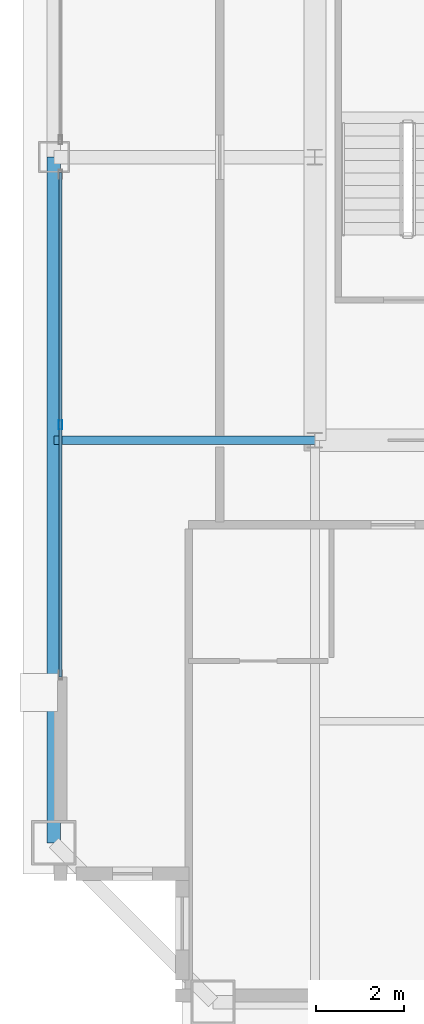
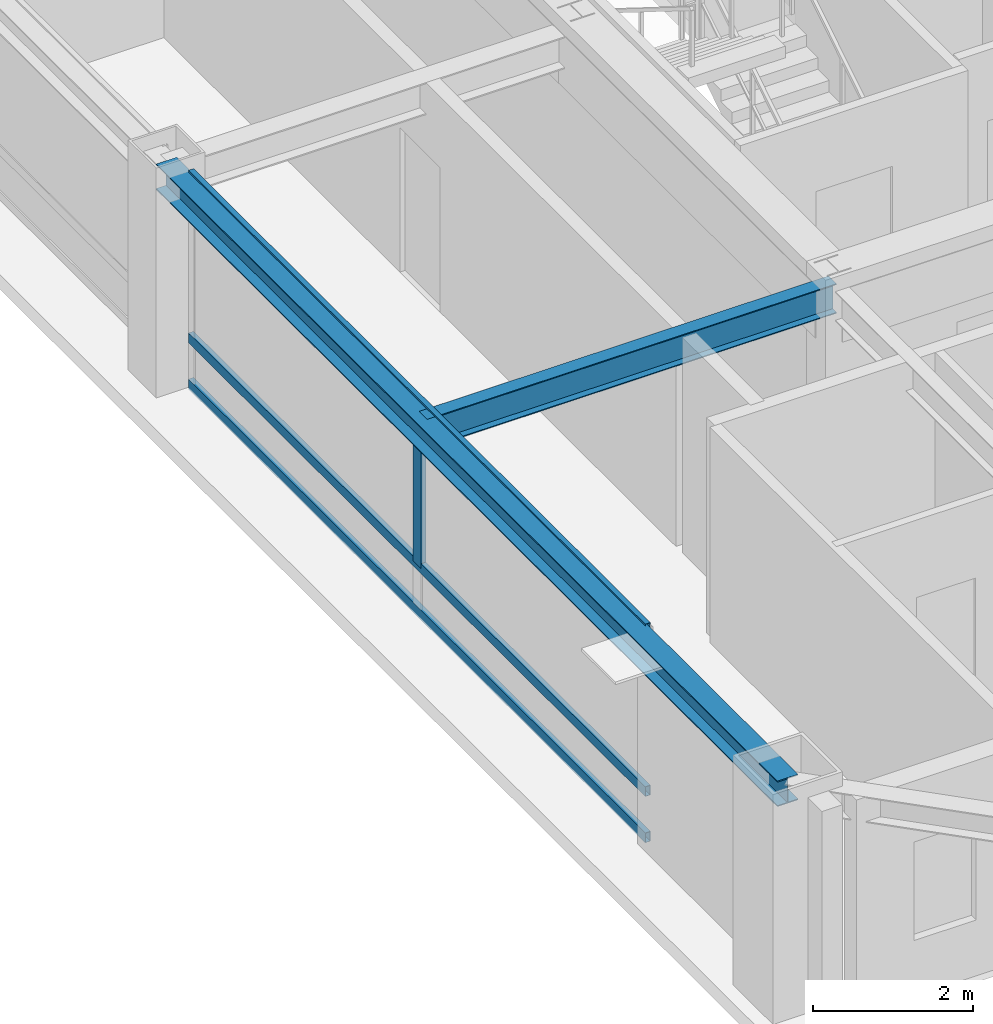
# One storey, part 6 of 35: 4 members, 2 beams, 1 element without a shape of its own.
"""IFC4 building model written with IfcOpenShell, lengths in metres."""

from ifc_helpers import new_model, si_unit, direction, frame, origin, origin_2d, place, context, subcontext, project, spatial, hollow_rectangle, i_section, extrude, source, transform, mapped, material, layer, layer_set, material_profile, profile_set, type_object, element, aggregate, save


model = new_model("IFC4")

# Units and contexts
model_context = context("Model", 3, precision=1e-05, world=origin(), true_north=direction((0.0, 1.0)))
body_context = subcontext(model_context, "Body", "Model", "MODEL_VIEW")
ifc_project = project(units=[si_unit("LENGTHUNIT", "METRE"), si_unit("AREAUNIT", "SQUARE_METRE"), si_unit("VOLUMEUNIT", "CUBIC_METRE"), si_unit("PLANEANGLEUNIT", "RADIAN"), si_unit("MASSUNIT", "GRAM", prefix="KILO"), si_unit("THERMODYNAMICTEMPERATUREUNIT", "KELVIN"), si_unit("POWERUNIT", "WATT")], contexts=[model_context])

# Site, building, storey
site_placement = place(None, origin())
site = spatial("IfcSite", under=ifc_project, at=site_placement, CompositionType="ELEMENT")
building_placement = place(site_placement, origin())
building = spatial("IfcBuilding", under=site, at=building_placement, Name="Yuzanri Waterfront Tower", CompositionType="ELEMENT")
storey_placement = place(building_placement, frame((0.0, 0.0, 289.10009765625)))
storey = spatial("IfcBuildingStorey", under=building, at=storey_placement, Name="L77", CompositionType="ELEMENT", Elevation=289.10009765625)

# Beams
ifc_material_1 = material(Name="Steel Q355B", Category="steel")
ifc_material_profile_1 = material_profile(ifc_material_1, i_section(OverallWidth=0.300048828125, OverallDepth=0.389892578125, WebThickness=0.010009765625, FlangeThickness=0.01611328125, at=origin_2d()), Name="HM 390x300x10x16")
ifc_profile_set_1 = profile_set([ifc_material_profile_1], Name="Steel Q355B")
beam_type_1 = type_object("IfcBeamType", Name="Perimeter Spandrel Q355B HM 390x300", PredefinedType="SPANDREL", material=ifc_profile_set_1)
shared_shape_1 = source(origin(), body_context, "Body", "SweptSolid", [
    extrude(i_section(OverallWidth=0.300048828125, OverallDepth=0.389892578125, WebThickness=0.010009765625, FlangeThickness=0.01611328125, at=origin_2d()), origin(), (0.0, 0.0, 1.0), 15.5),
])
beam_1_placement = place(storey_placement, frame((17.89990234375, 25.800048828125, 3.0849609375), z_axis=(0.0, -1.0, 0.0), x_axis=(1.0, 0.0, 0.0)))
element("IfcBeam", 1, at=beam_1_placement, inside=storey, type_object=beam_type_1, Name="L77 Perimeter Spandrel W2-W1", PredefinedType="SPANDREL", context=body_context, shape_type="MappedRepresentation", body=[
    mapped(shared_shape_1, transform((0.0, 0.0, 0.0), scale=1.0)),
])
ifc_material_2 = material(Name="Steel Q355B", Category="steel")
ifc_material_profile_2 = material_profile(ifc_material_2, i_section(OverallWidth=0.199951171875, OverallDepth=0.449951171875, WebThickness=0.009033203125, FlangeThickness=0.013916015625, at=origin_2d()), Name="HN 450x200x9x14")
ifc_profile_set_2 = profile_set([ifc_material_profile_2], Name="Steel Q355B")
beam_type_2 = type_object("IfcBeamType", Name="Secondary Floor Beam Q355B HN 450x200", PredefinedType="BEAM", material=ifc_profile_set_2)
shared_shape_2 = source(origin(), body_context, "Body", "SweptSolid", [
    extrude(i_section(OverallWidth=0.199951171875, OverallDepth=0.449951171875, WebThickness=0.009033203125, FlangeThickness=0.013916015625, at=origin_2d()), origin(), (0.0, 0.0, 1.0), 5.900146484375),
])
beam_2_placement = place(storey_placement, frame((23.800048828125, 19.39990234375, 3.054931640625), z_axis=(-1.0, 0.0, 0.0), x_axis=(0.0, -1.0, 0.0)))
element("IfcBeam", 2, at=beam_2_placement, inside=storey, type_object=beam_type_2, Name="L77 West-South Core Line Beam", PredefinedType="BEAM", context=body_context, shape_type="MappedRepresentation", body=[
    mapped(shared_shape_2, transform((0.0, 0.0, 0.0), scale=1.0)),
])

# Curtain wall, members
ifc_material_3 = material(Name="Anodized Architectural Bronze", Category="metal")
ifc_layer = layer(ifc_material_3, 0.159912109375)
ifc_layer_set = layer_set([ifc_layer], Name="Anodized Architectural Bronze")
curtain_wall_type = type_object("IfcCurtainWallType", Name="Anodized Bronze High-Rise Penthouse High-Wind Unitized Curtain Wall 6900", PredefinedType="NOTDEFINED", material=ifc_layer_set)
curtain_wall_placement = place(storey_placement, origin())
curtain_wall = element("IfcCurtainWall", 3, at=curtain_wall_placement, inside=storey, type_object=curtain_wall_type, Name="L77 Curtain Wall CW-L77-WL", PredefinedType="NOTDEFINED")
ifc_material_4 = material(Name="Anodized Architectural Bronze", Category="metal")
ifc_material_profile_3 = material_profile(ifc_material_4, hollow_rectangle(XDim=0.074951171875, YDim=0.199951171875, WallThickness=0.00390625, at=origin_2d()), Name="CWM 75x200")
ifc_profile_set_3 = profile_set([ifc_material_profile_3], Name="Anodized Architectural Bronze")
member_type_1 = type_object("IfcMemberType", Name="Anodized Bronze Primary Curtain-Wall Mullion 75x200", PredefinedType="MULLION", material=ifc_profile_set_3)
shared_shape_3 = source(origin(), body_context, "Body", "SweptSolid", [
    extrude(hollow_rectangle(XDim=0.074951171875, YDim=0.199951171875, WallThickness=0.00390625, at=origin_2d()), origin(), (0.0, 0.0, 1.0), 2.52392578125),
])
member_1_placement = place(storey_placement, frame((18.050048828125, 19.75, 0.755859375), z_axis=(0.0, 0.0, 1.0), x_axis=(1.0, 0.0, 0.0)))
member_1 = element("IfcMember", 4, at=member_1_placement, type_object=member_type_1, Name="CW-L77-WL Upper Mullion 01", PredefinedType="MULLION", context=body_context, shape_type="MappedRepresentation", body=[
    mapped(shared_shape_3, transform((0.0, 0.0, 0.0), scale=1.0)),
])
ifc_material_5 = material(Name="Anodized Architectural Bronze", Category="metal")
ifc_material_profile_4 = material_profile(ifc_material_5, hollow_rectangle(XDim=0.074951171875, YDim=0.14990234375, WallThickness=0.00390625, at=origin_2d()), Name="CWT 75x150")
ifc_profile_set_4 = profile_set([ifc_material_profile_4], Name="Anodized Architectural Bronze")
member_type_2 = type_object("IfcMemberType", Name="Anodized Bronze Primary Curtain-Wall Transom 75x150", PredefinedType="USERDEFINED", material=ifc_profile_set_4)
shared_shape_4 = source(origin(), body_context, "Body", "SweptSolid", [
    extrude(hollow_rectangle(XDim=0.074951171875, YDim=0.14990234375, WallThickness=0.00390625, at=origin_2d()), origin(), (0.0, 0.0, 1.0), 11.39990234375),
])
member_2_placement = place(storey_placement, frame((18.050048828125, 14.050048828125, 0.0498046875), z_axis=(0.0, 1.0, 0.0), x_axis=(-1.0, 0.0, 0.0)))
member_2 = element("IfcMember", 5, at=member_2_placement, type_object=member_type_2, Name="CW-L77-WL Transom 1", ObjectType="TRANSOM", PredefinedType="USERDEFINED", context=body_context, shape_type="MappedRepresentation", body=[
    mapped(shared_shape_4, transform((0.0, 0.0, 0.0), scale=1.0)),
])
member_3_placement = place(storey_placement, frame((18.050048828125, 14.050048828125, 0.75390625), z_axis=(0.0, 1.0, 0.0), x_axis=(-1.0, 0.0, 0.0)))
member_3 = element("IfcMember", 6, at=member_3_placement, type_object=member_type_2, Name="CW-L77-WL Transom 2", ObjectType="TRANSOM", PredefinedType="USERDEFINED", context=body_context, shape_type="MappedRepresentation", body=[
    mapped(shared_shape_4, transform((0.0, 0.0, 0.0), scale=1.0)),
])
member_4_placement = place(storey_placement, frame((18.050048828125, 14.050048828125, 3.22998046875), z_axis=(0.0, 1.0, 0.0), x_axis=(-1.0, 0.0, 0.0)))
member_4 = element("IfcMember", 7, at=member_4_placement, type_object=member_type_2, Name="CW-L77-WL Transom 3", ObjectType="TRANSOM", PredefinedType="USERDEFINED", context=body_context, shape_type="MappedRepresentation", body=[
    mapped(shared_shape_4, transform((0.0, 0.0, 0.0), scale=1.0)),
])
aggregate(curtain_wall, [member_1, member_2, member_3, member_4])

save(model, "model.ifc")
